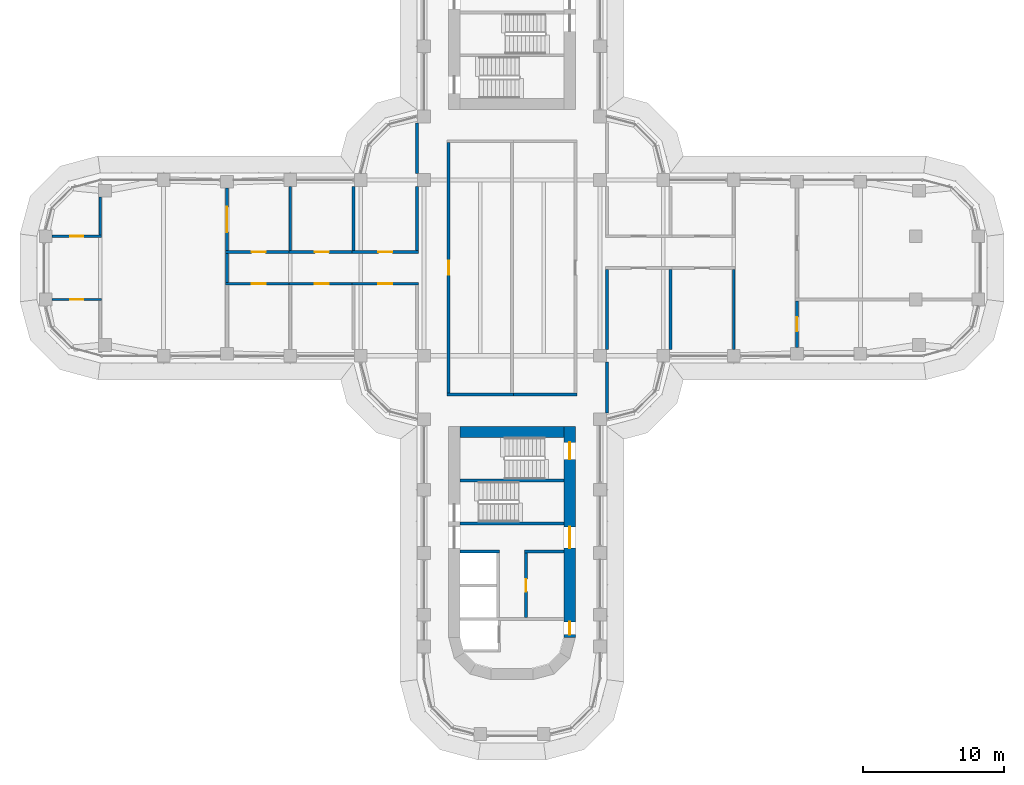
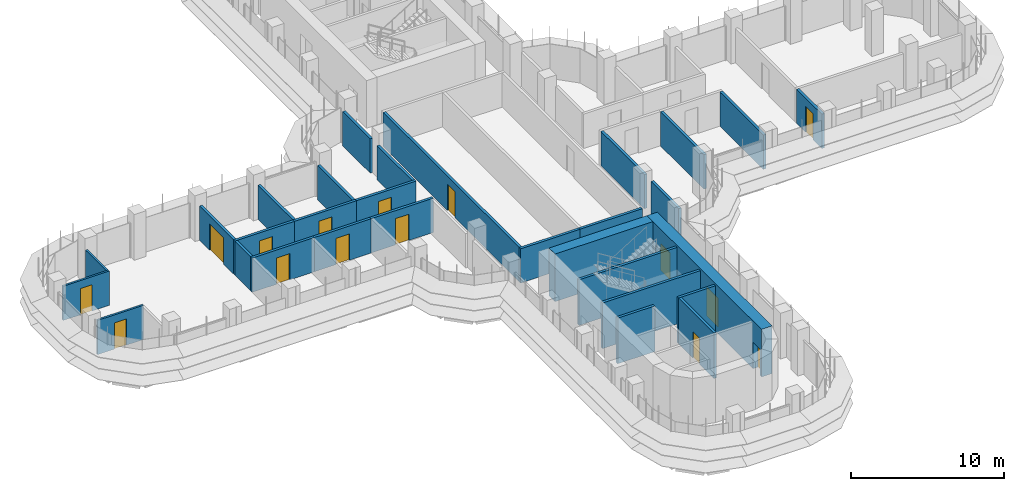
# One storey, part 17 of 23: 30 walls, 15 doors, 15 openings.
"""IFC4 building model written with IfcOpenShell, lengths in metres."""

from ifc_helpers import new_model, si_unit, direction, frame, frame_2d, origin, place, context, subcontext, project, spatial, rectangle, extrude, material, layer, layer_set, type_object, element, fill, save


model = new_model("IFC4")

# Units and contexts
model_context = context("Model", 3, precision=1e-05, world=origin(), true_north=direction((0.0, 1.0)))
body_context = subcontext(model_context, "Body", "Model", "MODEL_VIEW")
ifc_project = project(units=[si_unit("LENGTHUNIT", "METRE"), si_unit("AREAUNIT", "SQUARE_METRE"), si_unit("VOLUMEUNIT", "CUBIC_METRE"), si_unit("PLANEANGLEUNIT", "RADIAN"), si_unit("MASSUNIT", "GRAM", prefix="KILO")], contexts=[model_context])

# Site, building, storey
site_placement = place(None, origin())
site = spatial("IfcSite", under=ifc_project, at=site_placement, CompositionType="ELEMENT")
building_placement = place(site_placement, origin())
building = spatial("IfcBuilding", under=site, at=building_placement, Name="Zarbagh Exchange Tower", CompositionType="ELEMENT")
storey_placement = place(building_placement, frame((0.0, 0.0, 90.39990234375)))
storey = spatial("IfcBuildingStorey", under=building, at=storey_placement, Name="L20", CompositionType="ELEMENT", Elevation=90.39990234375)

# Wall, opening, door
ifc_material_1 = material(Name="Plasterboard partition")
ifc_layer_1 = layer(ifc_material_1, 0.14990234375)
ifc_layer_set_1 = layer_set([ifc_layer_1], Name="PARTITION 150")
wall_type_1 = type_object("IfcWallType", Name="PARTITION 150", PredefinedType="PARTITIONING", material=ifc_layer_set_1)
wall_1_placement = place(storey_placement, frame((-32.659912109375, 2.25, 0.0), z_axis=(0.0, 0.0, 1.0), x_axis=(1.0, 0.0, 0.0)))
wall_1 = element("IfcWall", 1, at=wall_1_placement, inside=storey, type_object=wall_type_1, Name="Partition W-641", PredefinedType="PARTITIONING", context=body_context, shape_type="SweptSolid", body=[
    extrude(rectangle(XDim=3.48486328125, YDim=0.14990234375, at=frame_2d((1.742431640625, 0.0))), origin(), (0.0, 0.0, 1.0), 2.73828125),
])
opening_1_placement = place(wall_1_placement, frame((1.29248046875, 0.0, 0.0)))
opening_1 = element("IfcOpeningElement", 2, at=opening_1_placement, cuts=wall_1, Name="Opening D-609", PredefinedType="OPENING", context=body_context, shape_type="SweptSolid", body=[
    extrude(rectangle(XDim=0.89990234375, YDim=2.10009765625, at=frame_2d((0.449951171875, 1.050048828125))), frame((0.0, 0.0849609375, 0.0), z_axis=(0.0, -1.0, 0.0), x_axis=(1.0, 0.0, 0.0)), (0.0, 0.0, 1.0), 0.169921875),
])
ifc_material_2 = material(Name="Timber door leaf", Category="wood")
door_type_1 = type_object("IfcDoorType", Name="DOOR 900 X 2100", OperationType="NOTDEFINED", PredefinedType="DOOR", material=ifc_material_2)
door_1_placement = place(opening_1_placement, origin())
door_1 = element("IfcDoor", 3, at=door_1_placement, inside=storey, type_object=door_type_1, Name="Door D-609", OperationType="SINGLE_SWING_RIGHT", OverallHeight=2.10009765625, OverallWidth=0.89990234375, PredefinedType="DOOR", context=body_context, shape_type="SweptSolid", body=[
    extrude(rectangle(XDim=0.89990234375, YDim=2.10009765625, at=frame_2d((0.449951171875, 1.050048828125))), frame((0.0, 0.02490234375, 0.0), z_axis=(0.0, -1.0, 0.0), x_axis=(1.0, 0.0, 0.0)), (0.0, 0.0, 1.0), 0.050048828125),
])
fill(opening_1, door_1)

# Wall
wall_2_placement = place(storey_placement, frame((-29.25, 2.324951171875, 0.0), z_axis=(0.0, 0.0, 1.0), x_axis=(0.0, 1.0, 0.0)))
element("IfcWall", 4, at=wall_2_placement, inside=storey, type_object=wall_type_1, Name="Partition W-642", PredefinedType="PARTITIONING", context=body_context, shape_type="SweptSolid", body=[
    extrude(rectangle(XDim=2.699951171875, YDim=0.14990234375, at=frame_2d((1.35009765625, 0.0))), origin(), (0.0, 0.0, 1.0), 2.73828125),
])

# Wall, opening, door
wall_3_placement = place(storey_placement, frame((-29.175048828125, -2.25, 0.0), z_axis=(0.0, 0.0, 1.0), x_axis=(-1.0, 0.0, 0.0)))
wall_3 = element("IfcWall", 5, at=wall_3_placement, inside=storey, type_object=wall_type_1, Name="Partition W-644", PredefinedType="PARTITIONING", context=body_context, shape_type="SweptSolid", body=[
    extrude(rectangle(XDim=3.48486328125, YDim=0.14990234375, at=frame_2d((1.742431640625, 0.0))), origin(), (0.0, 0.0, 1.0), 2.73828125),
])
opening_2_placement = place(wall_3_placement, frame((1.29248046875, 0.0, 0.0)))
opening_2 = element("IfcOpeningElement", 6, at=opening_2_placement, cuts=wall_3, Name="Opening D-610", PredefinedType="OPENING", context=body_context, shape_type="SweptSolid", body=[
    extrude(rectangle(XDim=0.89990234375, YDim=2.10009765625, at=frame_2d((0.449951171875, 1.050048828125))), frame((0.0, 0.0849609375, 0.0), z_axis=(0.0, -1.0, 0.0), x_axis=(1.0, 0.0, 0.0)), (0.0, 0.0, 1.0), 0.169921875),
])
door_2_placement = place(opening_2_placement, origin())
door_2 = element("IfcDoor", 7, at=door_2_placement, inside=storey, type_object=door_type_1, Name="Door D-610", OperationType="SINGLE_SWING_LEFT", OverallHeight=2.10009765625, OverallWidth=0.89990234375, PredefinedType="DOOR", context=body_context, shape_type="SweptSolid", body=[
    extrude(rectangle(XDim=0.89990234375, YDim=2.10009765625, at=frame_2d((0.449951171875, 1.050048828125))), frame((0.0, 0.02490234375, 0.0), z_axis=(0.0, -1.0, 0.0), x_axis=(1.0, 0.0, 0.0)), (0.0, 0.0, 1.0), 0.050048828125),
])
fill(opening_2, door_2)

ifc_material_3 = material(Name="Fire-rated plasterboard partition")
ifc_layer_2 = layer(ifc_material_3, 0.199951171875)
ifc_layer_set_2 = layer_set([ifc_layer_2], Name="RATED PARTITION 200")
wall_type_2 = type_object("IfcWallType", Name="RATED PARTITION 200", PredefinedType="PARTITIONING", material=ifc_layer_set_2)
wall_4_placement = place(storey_placement, frame((-4.5, 8.89990234375, 0.0), z_axis=(0.0, 0.0, 1.0), x_axis=(0.0, -1.0, 0.0)))
wall_4 = element("IfcWall", 8, at=wall_4_placement, inside=storey, type_object=wall_type_2, Name="Partition W-601", PredefinedType="PARTITIONING", context=body_context, shape_type="SweptSolid", body=[
    extrude(rectangle(XDim=17.7998046875, YDim=0.199951171875, at=frame_2d((8.89990234375, 0.0))), origin(), (0.0, 0.0, 1.0), 2.73828125),
])
opening_3_placement = place(wall_4_placement, frame((8.39990234375, 0.0, 0.0)))
opening_3 = element("IfcOpeningElement", 9, at=opening_3_placement, cuts=wall_4, Name="Opening D-602", PredefinedType="OPENING", context=body_context, shape_type="SweptSolid", body=[
    extrude(rectangle(XDim=1.0, YDim=2.10009765625, at=frame_2d((0.5, 1.050048828125))), frame((0.0, 0.10986328125, 0.0), z_axis=(0.0, -1.0, 0.0), x_axis=(1.0, 0.0, 0.0)), (0.0, 0.0, 1.0), 0.219970703125),
])
ifc_material_4 = material(Name="Steel door set", Category="steel")
door_type_2 = type_object("IfcDoorType", Name="FIRE DOOR 1000 X 2100 FD30S", OperationType="NOTDEFINED", PredefinedType="DOOR", material=ifc_material_4)
door_3_placement = place(opening_3_placement, origin())
door_3 = element("IfcDoor", 10, at=door_3_placement, inside=storey, type_object=door_type_2, Name="Door D-602", OperationType="SINGLE_SWING_RIGHT", OverallHeight=2.10009765625, OverallWidth=1.0, PredefinedType="DOOR", context=body_context, shape_type="SweptSolid", body=[
    extrude(rectangle(XDim=1.0, YDim=2.10009765625, at=frame_2d((0.5, 1.050048828125))), frame((0.0, 0.02490234375, 0.0), z_axis=(0.0, -1.0, 0.0), x_axis=(1.0, 0.0, 0.0)), (0.0, 0.0, 1.0), 0.050048828125),
])
fill(opening_3, door_3)

# Walls
wall_5_placement = place(storey_placement, frame((-6.75, 1.22509765625, 0.0), z_axis=(0.0, 0.0, 1.0), x_axis=(0.0, 1.0, 0.0)))
element("IfcWall", 11, at=wall_5_placement, inside=storey, type_object=wall_type_2, Name="Partition W-602", PredefinedType="PARTITIONING", context=body_context, shape_type="SweptSolid", body=[
    extrude(rectangle(XDim=4.574951171875, YDim=0.199951171875, at=frame_2d((2.28759765625, 0.0))), origin(), (0.0, 0.0, 1.0), 2.73828125),
])
for number, where, z_axis, x_axis, name in (
    (12, (-6.75, 6.699951171875, 0.0), (0.0, 0.0, 1.0), (0.0, 1.0, 0.0), "Partition W-603"),
    (13, (6.75, -10.300048828125, 0.0), (0.0, 0.0, 1.0), (0.0, 1.0, 0.0), "Partition W-609"),
):
    element("IfcWall", number, at=place(storey_placement, frame(where, z_axis=z_axis, x_axis=x_axis)), inside=storey, type_object=wall_type_2, Name=name, PredefinedType="PARTITIONING", context=body_context, shape_type="SweptSolid", body=[
        extrude(rectangle(XDim=3.60009765625, YDim=0.199951171875, at=frame_2d((1.800048828125, 0.0))), origin(), (0.0, 0.0, 1.0), 2.73828125),
    ])
wall_6_placement = place(storey_placement, frame((6.75, -5.800048828125, 0.0), z_axis=(0.0, 0.0, 1.0), x_axis=(0.0, 1.0, 0.0)))
element("IfcWall", 14, at=wall_6_placement, inside=storey, type_object=wall_type_2, Name="Partition W-610", PredefinedType="PARTITIONING", context=body_context, shape_type="SweptSolid", body=[
    extrude(rectangle(XDim=5.699951171875, YDim=0.199951171875, at=frame_2d((2.85009765625, 0.0))), origin(), (0.0, 0.0, 1.0), 2.73828125),
])
for number, where, z_axis, x_axis, name in (
    (15, (-4.60009765625, -9.0, 0.0), (0.0, 0.0, 1.0), (1.0, 0.0, 0.0), "Partition W-613"),
    (16, (-0.10009765625, -9.0, 0.0), (0.0, 0.0, 1.0), (1.0, 0.0, 0.0), "Partition W-614"),
):
    element("IfcWall", number, at=place(storey_placement, frame(where, z_axis=z_axis, x_axis=x_axis)), inside=storey, type_object=wall_type_2, Name=name, PredefinedType="PARTITIONING", context=body_context, shape_type="SweptSolid", body=[
        extrude(rectangle(XDim=4.7001953125, YDim=0.199951171875, at=frame_2d((2.35009765625, 0.0))), origin(), (0.0, 0.0, 1.0), 2.73828125),
    ])
for number, where, z_axis, x_axis, name in (
    (17, (11.25, -5.800048828125, 0.0), (0.0, 0.0, 1.0), (0.0, 1.0, 0.0), "Partition W-621"),
    (18, (15.75, -5.800048828125, 0.0), (0.0, 0.0, 1.0), (0.0, 1.0, 0.0), "Partition W-623"),
):
    element("IfcWall", number, at=place(storey_placement, frame(where, z_axis=z_axis, x_axis=x_axis)), inside=storey, type_object=wall_type_2, Name=name, PredefinedType="PARTITIONING", context=body_context, shape_type="SweptSolid", body=[
        extrude(rectangle(XDim=5.699951171875, YDim=0.199951171875, at=frame_2d((2.85009765625, 0.0))), origin(), (0.0, 0.0, 1.0), 2.73828125),
    ])

# Wall, opening, door
wall_7_placement = place(storey_placement, frame((20.25, -2.35009765625, 0.0), z_axis=(0.0, 0.0, 1.0), x_axis=(0.0, -1.0, 0.0)))
wall_7 = element("IfcWall", 19, at=wall_7_placement, inside=storey, type_object=wall_type_2, Name="Partition W-624", PredefinedType="PARTITIONING", context=body_context, shape_type="SweptSolid", body=[
    extrude(rectangle(XDim=3.309814453125, YDim=0.199951171875, at=frame_2d((1.65478515625, 0.0))), origin(), (0.0, 0.0, 1.0), 2.73828125),
])
opening_4_placement = place(wall_7_placement, frame((1.155029296875, 0.0, 0.0)))
opening_4 = element("IfcOpeningElement", 20, at=opening_4_placement, cuts=wall_7, Name="Opening D-607", PredefinedType="OPENING", context=body_context, shape_type="SweptSolid", body=[
    extrude(rectangle(XDim=1.0, YDim=2.10009765625, at=frame_2d((0.5, 1.050048828125))), frame((0.0, 0.10986328125, 0.0), z_axis=(0.0, -1.0, 0.0), x_axis=(1.0, 0.0, 0.0)), (0.0, 0.0, 1.0), 0.219970703125),
])
door_4_placement = place(opening_4_placement, origin())
door_4 = element("IfcDoor", 21, at=door_4_placement, inside=storey, type_object=door_type_2, Name="Door D-607", OperationType="SINGLE_SWING_LEFT", OverallHeight=2.10009765625, OverallWidth=1.0, PredefinedType="DOOR", context=body_context, shape_type="SweptSolid", body=[
    extrude(rectangle(XDim=1.0, YDim=2.10009765625, at=frame_2d((0.5, 1.050048828125))), frame((0.0, 0.02490234375, 0.0), z_axis=(0.0, -1.0, 0.0), x_axis=(1.0, 0.0, 0.0)), (0.0, 0.0, 1.0), 0.050048828125),
])
fill(opening_4, door_4)

wall_8_placement = place(storey_placement, frame((-11.35009765625, 1.125, 0.0), z_axis=(0.0, 0.0, 1.0), x_axis=(1.0, 0.0, 0.0)))
wall_8 = element("IfcWall", 22, at=wall_8_placement, inside=storey, type_object=wall_type_2, Name="Partition W-628", PredefinedType="PARTITIONING", context=body_context, shape_type="SweptSolid", body=[
    extrude(rectangle(XDim=4.7001953125, YDim=0.199951171875, at=frame_2d((2.35009765625, 0.0))), origin(), (0.0, 0.0, 1.0), 2.73828125),
])
opening_5_placement = place(wall_8_placement, frame((1.85009765625, 0.0, 0.0)))
opening_5 = element("IfcOpeningElement", 23, at=opening_5_placement, cuts=wall_8, Name="Opening D-612", PredefinedType="OPENING", context=body_context, shape_type="SweptSolid", body=[
    extrude(rectangle(XDim=1.0, YDim=2.10009765625, at=frame_2d((0.5, 1.050048828125))), frame((0.0, 0.10986328125, 0.0), z_axis=(0.0, -1.0, 0.0), x_axis=(1.0, 0.0, 0.0)), (0.0, 0.0, 1.0), 0.219970703125),
])
door_5_placement = place(opening_5_placement, origin())
door_5 = element("IfcDoor", 24, at=door_5_placement, inside=storey, type_object=door_type_2, Name="Door D-612", OperationType="SINGLE_SWING_RIGHT", OverallHeight=2.10009765625, OverallWidth=1.0, PredefinedType="DOOR", context=body_context, shape_type="SweptSolid", body=[
    extrude(rectangle(XDim=1.0, YDim=2.10009765625, at=frame_2d((0.5, 1.050048828125))), frame((0.0, 0.02490234375, 0.0), z_axis=(0.0, -1.0, 0.0), x_axis=(1.0, 0.0, 0.0)), (0.0, 0.0, 1.0), 0.050048828125),
])
fill(opening_5, door_5)

wall_9_placement = place(storey_placement, frame((-6.64990234375, -1.125, 0.0), z_axis=(0.0, 0.0, 1.0), x_axis=(-1.0, 0.0, 0.0)))
wall_9 = element("IfcWall", 25, at=wall_9_placement, inside=storey, type_object=wall_type_2, Name="Partition W-629", PredefinedType="PARTITIONING", context=body_context, shape_type="SweptSolid", body=[
    extrude(rectangle(XDim=4.7001953125, YDim=0.199951171875, at=frame_2d((2.35009765625, 0.0))), origin(), (0.0, 0.0, 1.0), 2.73828125),
])
opening_6_placement = place(wall_9_placement, frame((1.85009765625, 0.0, 0.0)))
opening_6 = element("IfcOpeningElement", 26, at=opening_6_placement, cuts=wall_9, Name="Opening D-615", PredefinedType="OPENING", context=body_context, shape_type="SweptSolid", body=[
    extrude(rectangle(XDim=1.0, YDim=2.10009765625, at=frame_2d((0.5, 1.050048828125))), frame((0.0, 0.10986328125, 0.0), z_axis=(0.0, -1.0, 0.0), x_axis=(1.0, 0.0, 0.0)), (0.0, 0.0, 1.0), 0.219970703125),
])
door_6_placement = place(opening_6_placement, origin())
door_6 = element("IfcDoor", 27, at=door_6_placement, inside=storey, type_object=door_type_2, Name="Door D-615", OperationType="SINGLE_SWING_RIGHT", OverallHeight=2.10009765625, OverallWidth=1.0, PredefinedType="DOOR", context=body_context, shape_type="SweptSolid", body=[
    extrude(rectangle(XDim=1.0, YDim=2.10009765625, at=frame_2d((0.5, 1.050048828125))), frame((0.0, 0.02490234375, 0.0), z_axis=(0.0, -1.0, 0.0), x_axis=(1.0, 0.0, 0.0)), (0.0, 0.0, 1.0), 0.050048828125),
])
fill(opening_6, door_6)

wall_10_placement = place(storey_placement, frame((-15.85009765625, 1.125, 0.0), z_axis=(0.0, 0.0, 1.0), x_axis=(1.0, 0.0, 0.0)))
wall_10 = element("IfcWall", 28, at=wall_10_placement, inside=storey, type_object=wall_type_2, Name="Partition W-630", PredefinedType="PARTITIONING", context=body_context, shape_type="SweptSolid", body=[
    extrude(rectangle(XDim=4.7001953125, YDim=0.199951171875, at=frame_2d((2.35009765625, 0.0))), origin(), (0.0, 0.0, 1.0), 2.73828125),
])
opening_7_placement = place(wall_10_placement, frame((1.85009765625, 0.0, 0.0)))
opening_7 = element("IfcOpeningElement", 29, at=opening_7_placement, cuts=wall_10, Name="Opening D-613", PredefinedType="OPENING", context=body_context, shape_type="SweptSolid", body=[
    extrude(rectangle(XDim=1.0, YDim=2.10009765625, at=frame_2d((0.5, 1.050048828125))), frame((0.0, 0.10986328125, 0.0), z_axis=(0.0, -1.0, 0.0), x_axis=(1.0, 0.0, 0.0)), (0.0, 0.0, 1.0), 0.219970703125),
])
door_7_placement = place(opening_7_placement, origin())
door_7 = element("IfcDoor", 30, at=door_7_placement, inside=storey, type_object=door_type_2, Name="Door D-613", OperationType="SINGLE_SWING_RIGHT", OverallHeight=2.10009765625, OverallWidth=1.0, PredefinedType="DOOR", context=body_context, shape_type="SweptSolid", body=[
    extrude(rectangle(XDim=1.0, YDim=2.10009765625, at=frame_2d((0.5, 1.050048828125))), frame((0.0, 0.02490234375, 0.0), z_axis=(0.0, -1.0, 0.0), x_axis=(1.0, 0.0, 0.0)), (0.0, 0.0, 1.0), 0.050048828125),
])
fill(opening_7, door_7)

wall_11_placement = place(storey_placement, frame((-20.35009765625, 1.125, 0.0), z_axis=(0.0, 0.0, 1.0), x_axis=(1.0, 0.0, 0.0)))
wall_11 = element("IfcWall", 31, at=wall_11_placement, inside=storey, type_object=wall_type_2, Name="Partition W-631", PredefinedType="PARTITIONING", context=body_context, shape_type="SweptSolid", body=[
    extrude(rectangle(XDim=4.7001953125, YDim=0.199951171875, at=frame_2d((2.35009765625, 0.0))), origin(), (0.0, 0.0, 1.0), 2.73828125),
])
opening_8_placement = place(wall_11_placement, frame((1.85009765625, 0.0, 0.0)))
opening_8 = element("IfcOpeningElement", 32, at=opening_8_placement, cuts=wall_11, Name="Opening D-614", PredefinedType="OPENING", context=body_context, shape_type="SweptSolid", body=[
    extrude(rectangle(XDim=1.0, YDim=2.10009765625, at=frame_2d((0.5, 1.050048828125))), frame((0.0, 0.10986328125, 0.0), z_axis=(0.0, -1.0, 0.0), x_axis=(1.0, 0.0, 0.0)), (0.0, 0.0, 1.0), 0.219970703125),
])
door_8_placement = place(opening_8_placement, origin())
door_8 = element("IfcDoor", 33, at=door_8_placement, inside=storey, type_object=door_type_2, Name="Door D-614", OperationType="SINGLE_SWING_RIGHT", OverallHeight=2.10009765625, OverallWidth=1.0, PredefinedType="DOOR", context=body_context, shape_type="SweptSolid", body=[
    extrude(rectangle(XDim=1.0, YDim=2.10009765625, at=frame_2d((0.5, 1.050048828125))), frame((0.0, 0.02490234375, 0.0), z_axis=(0.0, -1.0, 0.0), x_axis=(1.0, 0.0, 0.0)), (0.0, 0.0, 1.0), 0.050048828125),
])
fill(opening_8, door_8)

wall_12_placement = place(storey_placement, frame((-11.14990234375, -1.125, 0.0), z_axis=(0.0, 0.0, 1.0), x_axis=(-1.0, 0.0, 0.0)))
wall_12 = element("IfcWall", 34, at=wall_12_placement, inside=storey, type_object=wall_type_2, Name="Partition W-632", PredefinedType="PARTITIONING", context=body_context, shape_type="SweptSolid", body=[
    extrude(rectangle(XDim=4.7001953125, YDim=0.199951171875, at=frame_2d((2.35009765625, 0.0))), origin(), (0.0, 0.0, 1.0), 2.73828125),
])
opening_9_placement = place(wall_12_placement, frame((1.85009765625, 0.0, 0.0)))
opening_9 = element("IfcOpeningElement", 35, at=opening_9_placement, cuts=wall_12, Name="Opening D-616", PredefinedType="OPENING", context=body_context, shape_type="SweptSolid", body=[
    extrude(rectangle(XDim=1.0, YDim=2.10009765625, at=frame_2d((0.5, 1.050048828125))), frame((0.0, 0.10986328125, 0.0), z_axis=(0.0, -1.0, 0.0), x_axis=(1.0, 0.0, 0.0)), (0.0, 0.0, 1.0), 0.219970703125),
])
door_9_placement = place(opening_9_placement, origin())
door_9 = element("IfcDoor", 36, at=door_9_placement, inside=storey, type_object=door_type_2, Name="Door D-616", OperationType="SINGLE_SWING_RIGHT", OverallHeight=2.10009765625, OverallWidth=1.0, PredefinedType="DOOR", context=body_context, shape_type="SweptSolid", body=[
    extrude(rectangle(XDim=1.0, YDim=2.10009765625, at=frame_2d((0.5, 1.050048828125))), frame((0.0, 0.02490234375, 0.0), z_axis=(0.0, -1.0, 0.0), x_axis=(1.0, 0.0, 0.0)), (0.0, 0.0, 1.0), 0.050048828125),
])
fill(opening_9, door_9)

wall_13_placement = place(storey_placement, frame((-15.64990234375, -1.125, 0.0), z_axis=(0.0, 0.0, 1.0), x_axis=(-1.0, 0.0, 0.0)))
wall_13 = element("IfcWall", 37, at=wall_13_placement, inside=storey, type_object=wall_type_2, Name="Partition W-633", PredefinedType="PARTITIONING", context=body_context, shape_type="SweptSolid", body=[
    extrude(rectangle(XDim=4.7001953125, YDim=0.199951171875, at=frame_2d((2.35009765625, 0.0))), origin(), (0.0, 0.0, 1.0), 2.73828125),
])
opening_10_placement = place(wall_13_placement, frame((1.85009765625, 0.0, 0.0)))
opening_10 = element("IfcOpeningElement", 38, at=opening_10_placement, cuts=wall_13, Name="Opening D-617", PredefinedType="OPENING", context=body_context, shape_type="SweptSolid", body=[
    extrude(rectangle(XDim=1.0, YDim=2.10009765625, at=frame_2d((0.5, 1.050048828125))), frame((0.0, 0.10986328125, 0.0), z_axis=(0.0, -1.0, 0.0), x_axis=(1.0, 0.0, 0.0)), (0.0, 0.0, 1.0), 0.219970703125),
])
door_10_placement = place(opening_10_placement, origin())
door_10 = element("IfcDoor", 39, at=door_10_placement, inside=storey, type_object=door_type_2, Name="Door D-617", OperationType="SINGLE_SWING_LEFT", OverallHeight=2.10009765625, OverallWidth=1.0, PredefinedType="DOOR", context=body_context, shape_type="SweptSolid", body=[
    extrude(rectangle(XDim=1.0, YDim=2.10009765625, at=frame_2d((0.5, 1.050048828125))), frame((0.0, 0.02490234375, 0.0), z_axis=(0.0, -1.0, 0.0), x_axis=(1.0, 0.0, 0.0)), (0.0, 0.0, 1.0), 0.050048828125),
])
fill(opening_10, door_10)

# Walls
wall_14_placement = place(storey_placement, frame((-20.25, -1.02490234375, 0.0), z_axis=(0.0, 0.0, 1.0), x_axis=(0.0, 1.0, 0.0)))
element("IfcWall", 40, at=wall_14_placement, inside=storey, type_object=wall_type_2, Name="Partition W-634", PredefinedType="PARTITIONING", context=body_context, shape_type="SweptSolid", body=[
    extrude(rectangle(XDim=2.0498046875, YDim=0.199951171875, at=frame_2d((1.02490234375, 0.0))), origin(), (0.0, 0.0, 1.0), 2.73828125),
])
for number, where, z_axis, x_axis, name in (
    (41, (-11.25, 1.22509765625, 0.0), (0.0, 0.0, 1.0), (0.0, 1.0, 0.0), "Partition W-635"),
    (42, (-15.75, 1.22509765625, 0.0), (0.0, 0.0, 1.0), (0.0, 1.0, 0.0), "Partition W-637"),
):
    element("IfcWall", number, at=place(storey_placement, frame(where, z_axis=z_axis, x_axis=x_axis)), inside=storey, type_object=wall_type_2, Name=name, PredefinedType="PARTITIONING", context=body_context, shape_type="SweptSolid", body=[
        extrude(rectangle(XDim=4.574951171875, YDim=0.199951171875, at=frame_2d((2.28759765625, 0.0))), origin(), (0.0, 0.0, 1.0), 2.73828125),
    ])

# Wall, opening, door
wall_15_placement = place(storey_placement, frame((-20.25, 1.22509765625, 0.0), z_axis=(0.0, 0.0, 1.0), x_axis=(0.0, 1.0, 0.0)))
wall_15 = element("IfcWall", 43, at=wall_15_placement, inside=storey, type_object=wall_type_2, Name="Partition W-638", PredefinedType="PARTITIONING", context=body_context, shape_type="SweptSolid", body=[
    extrude(rectangle(XDim=4.434814453125, YDim=0.199951171875, at=frame_2d((2.21728515625, 0.0))), origin(), (0.0, 0.0, 1.0), 2.73828125),
])
opening_11_placement = place(wall_15_placement, frame((1.3173828125, 0.0, 0.0)))
opening_11 = element("IfcOpeningElement", 44, at=opening_11_placement, cuts=wall_15, Name="Opening D-611", PredefinedType="OPENING", context=body_context, shape_type="SweptSolid", body=[
    extrude(rectangle(XDim=1.800048828125, YDim=2.10009765625, at=frame_2d((0.89990234375, 1.050048828125))), frame((0.0, 0.10986328125, 0.0), z_axis=(0.0, -1.0, 0.0), x_axis=(1.0, 0.0, 0.0)), (0.0, 0.0, 1.0), 0.219970703125),
])
door_type_3 = type_object("IfcDoorType", Name="FIRE DOUBLE DOOR 1800 X 2100 FD30S", OperationType="DOUBLE_DOOR_SINGLE_SWING", PredefinedType="DOOR", material=ifc_material_4)
door_11_placement = place(opening_11_placement, origin())
door_11 = element("IfcDoor", 45, at=door_11_placement, inside=storey, type_object=door_type_3, Name="Door D-611", OperationType="DOUBLE_DOOR_SINGLE_SWING", OverallHeight=2.10009765625, OverallWidth=1.800048828125, PredefinedType="DOOR", context=body_context, shape_type="SweptSolid", body=[
    extrude(rectangle(XDim=1.800048828125, YDim=2.10009765625, at=frame_2d((0.89990234375, 1.050048828125))), frame((0.0, 0.02490234375, 0.0), z_axis=(0.0, -1.0, 0.0), x_axis=(1.0, 0.0, 0.0)), (0.0, 0.0, 1.0), 0.050048828125),
])
fill(opening_11, door_11)

# Wall, openings, doors
ifc_material_5 = material(Name="Concrete C60/75", Category="concrete")
ifc_layer_3 = layer(ifc_material_5, 0.800048828125)
ifc_layer_set_3 = layer_set([ifc_layer_3], Name="RC core wall 800 C60/75")
wall_type_3 = type_object("IfcWallType", Name="RC core wall 800 C60/75", PredefinedType="SHEAR", material=ifc_layer_set_3)
wall_16_placement = place(storey_placement, frame((4.10009765625, -11.25, 0.0), z_axis=(0.0, 0.0, 1.0), x_axis=(0.0, -1.0, 0.0)))
wall_16 = element("IfcWall", 46, at=wall_16_placement, inside=storey, type_object=wall_type_3, Name="CW3 core S E", PredefinedType="SHEAR", context=body_context, shape_type="SweptSolid", body=[
    extrude(rectangle(XDim=15.0, YDim=0.800048828125, at=frame_2d((7.5, 0.0))), origin(), (0.0, 0.0, 1.0), 3.800048828125),
])
opening_12_placement = place(wall_16_placement, frame((7.14990234375, 0.0, 0.0)))
opening_12 = element("IfcOpeningElement", 47, at=opening_12_placement, cuts=wall_16, Name="Opening CD1-1500", PredefinedType="OPENING", context=body_context, shape_type="SweptSolid", body=[
    extrude(rectangle(XDim=1.5, YDim=2.300048828125, at=frame_2d((0.75, 1.14990234375))), frame((0.0, 0.409912109375, 0.0), z_axis=(0.0, -1.0, 0.0), x_axis=(1.0, 0.0, 0.0)), (0.0, 0.0, 1.0), 0.820068359375),
])
opening_13_placement = place(wall_16_placement, frame((13.89990234375, 0.0, 0.0)))
opening_13 = element("IfcOpeningElement", 48, at=opening_13_placement, cuts=wall_16, Name="Opening CD2-900", PredefinedType="OPENING", context=body_context, shape_type="SweptSolid", body=[
    extrude(rectangle(XDim=0.89990234375, YDim=2.10009765625, at=frame_2d((0.449951171875, 1.050048828125))), frame((0.0, 0.409912109375, 0.0), z_axis=(0.0, -1.0, 0.0), x_axis=(1.0, 0.0, 0.0)), (0.0, 0.0, 1.0), 0.820068359375),
])
opening_14_placement = place(wall_16_placement, frame((1.14990234375, 0.0, 0.0)))
opening_14 = element("IfcOpeningElement", 49, at=opening_14_placement, cuts=wall_16, Name="Opening SD1-1200", PredefinedType="OPENING", context=body_context, shape_type="SweptSolid", body=[
    extrude(rectangle(XDim=1.199951171875, YDim=2.10009765625, at=frame_2d((0.60009765625, 1.050048828125))), frame((0.0, 0.409912109375, 0.0), z_axis=(0.0, -1.0, 0.0), x_axis=(1.0, 0.0, 0.0)), (0.0, 0.0, 1.0), 0.820068359375),
])
ifc_material_6 = material(Name="Steel", Category="steel")
door_type_4 = type_object("IfcDoorType", Name="Exit stair door 1200 x 2100", OperationType="NOTDEFINED", PredefinedType="DOOR", material=ifc_material_6)
door_12_placement = place(opening_14_placement, origin())
door_12 = element("IfcDoor", 50, at=door_12_placement, inside=storey, type_object=door_type_4, Name="South core stair door ST2", OperationType="SINGLE_SWING_RIGHT", OverallHeight=2.10009765625, OverallWidth=1.199951171875, PredefinedType="DOOR", context=body_context, shape_type="SweptSolid", body=[
    extrude(rectangle(XDim=1.199951171875, YDim=2.10009765625, at=frame_2d((0.60009765625, 1.050048828125))), frame((0.0, 0.02490234375, 0.0), z_axis=(0.0, -1.0, 0.0), x_axis=(1.0, 0.0, 0.0)), (0.0, 0.0, 1.0), 0.050048828125),
])
fill(opening_14, door_12)
door_type_5 = type_object("IfcDoorType", Name="Firefighting lobby door 900 x 2100", OperationType="NOTDEFINED", PredefinedType="DOOR", material=ifc_material_6)
door_13_placement = place(opening_13_placement, origin())
door_13 = element("IfcDoor", 51, at=door_13_placement, inside=storey, type_object=door_type_5, Name="South core firefighting lobby door FF-W", OperationType="SINGLE_SWING_LEFT", OverallHeight=2.10009765625, OverallWidth=0.89990234375, PredefinedType="DOOR", context=body_context, shape_type="SweptSolid", body=[
    extrude(rectangle(XDim=0.89990234375, YDim=2.10009765625, at=frame_2d((0.449951171875, 1.050048828125))), frame((0.0, 0.02490234375, 0.0), z_axis=(0.0, -1.0, 0.0), x_axis=(1.0, 0.0, 0.0)), (0.0, 0.0, 1.0), 0.050048828125),
])
fill(opening_13, door_13)
door_type_6 = type_object("IfcDoorType", Name="Lift lobby double door 1500 x 2300", OperationType="NOTDEFINED", PredefinedType="DOOR", material=ifc_material_6)
door_14_placement = place(opening_12_placement, origin())
door_14 = element("IfcDoor", 52, at=door_14_placement, inside=storey, type_object=door_type_6, Name="South core lift lobby door LOBBY-W", OperationType="DOUBLE_DOOR_SINGLE_SWING", OverallHeight=2.300048828125, OverallWidth=1.5, PredefinedType="DOOR", context=body_context, shape_type="SweptSolid", body=[
    extrude(rectangle(XDim=1.5, YDim=2.300048828125, at=frame_2d((0.75, 1.14990234375))), frame((0.0, 0.02490234375, 0.0), z_axis=(0.0, -1.0, 0.0), x_axis=(1.0, 0.0, 0.0)), (0.0, 0.0, 1.0), 0.050048828125),
])
fill(opening_12, door_14)

# Walls
wall_17_placement = place(storey_placement, frame((-3.699951171875, -11.64990234375, 0.0), z_axis=(0.0, 0.0, 1.0), x_axis=(1.0, 0.0, 0.0)))
element("IfcWall", 53, at=wall_17_placement, inside=storey, type_object=wall_type_3, Name="CW3 core S inner end", PredefinedType="SHEAR", context=body_context, shape_type="SweptSolid", body=[
    extrude(rectangle(XDim=7.39990234375, YDim=0.800048828125, at=frame_2d((3.699951171875, 0.0))), origin(), (0.0, 0.0, 1.0), 3.800048828125),
])
ifc_material_7 = material(Name="Dense blockwork", Category="masonry")
ifc_layer_4 = layer(ifc_material_7, 0.199951171875)
ifc_layer_set_4 = layer_set([ifc_layer_4], Name="Shaft wall 200 mm blockwork")
wall_type_4 = type_object("IfcWallType", Name="Shaft wall 200 mm blockwork", PredefinedType="PARTITIONING", material=ifc_layer_set_4)
wall_18_placement = place(storey_placement, frame((3.699951171875, -20.14990234375, 0.0), z_axis=(0.0, 0.0, 1.0), x_axis=(-1.0, 0.0, 0.0)))
element("IfcWall", 54, at=wall_18_placement, inside=storey, type_object=wall_type_4, Name="South core shaft wall AB-W", PredefinedType="PARTITIONING", context=body_context, shape_type="SweptSolid", body=[
    extrude(rectangle(XDim=2.800048828125, YDim=0.199951171875, at=frame_2d((1.39990234375, 0.0))), origin(), (0.0, 0.0, 1.0), 3.650146484375),
])

# Wall, opening, door
wall_19_placement = place(storey_placement, frame((1.0, -24.85009765625, 0.0), z_axis=(0.0, 0.0, 1.0), x_axis=(0.0, 1.0, 0.0)))
wall_19 = element("IfcWall", 55, at=wall_19_placement, inside=storey, type_object=wall_type_4, Name="South core shaft wall LW-W", PredefinedType="PARTITIONING", context=body_context, shape_type="SweptSolid", body=[
    extrude(rectangle(XDim=4.60009765625, YDim=0.199951171875, at=frame_2d((2.300048828125, 0.0))), origin(), (0.0, 0.0, 1.0), 3.650146484375),
])
opening_15_placement = place(wall_19_placement, frame((1.85009765625, 0.0, 0.0)))
opening_15 = element("IfcOpeningElement", 56, at=opening_15_placement, cuts=wall_19, Name="Opening CD3-900", PredefinedType="OPENING", context=body_context, shape_type="SweptSolid", body=[
    extrude(rectangle(XDim=0.89990234375, YDim=2.10009765625, at=frame_2d((0.449951171875, 1.050048828125))), frame((0.0, 0.10986328125, 0.0), z_axis=(0.0, -1.0, 0.0), x_axis=(1.0, 0.0, 0.0)), (0.0, 0.0, 1.0), 0.219970703125),
])
door_type_7 = type_object("IfcDoorType", Name="Core room door 900 x 2100", OperationType="NOTDEFINED", PredefinedType="DOOR", material=ifc_material_6)
door_15_placement = place(opening_15_placement, origin())
door_15 = element("IfcDoor", 57, at=door_15_placement, inside=storey, type_object=door_type_7, Name="South core Accessible WC door RD-W-0", OperationType="SINGLE_SWING_LEFT", OverallHeight=2.10009765625, OverallWidth=0.89990234375, PredefinedType="DOOR", context=body_context, shape_type="SweptSolid", body=[
    extrude(rectangle(XDim=0.89990234375, YDim=2.10009765625, at=frame_2d((0.449951171875, 1.050048828125))), frame((0.0, 0.02490234375, 0.0), z_axis=(0.0, -1.0, 0.0), x_axis=(1.0, 0.0, 0.0)), (0.0, 0.0, 1.0), 0.050048828125),
])
fill(opening_15, door_15)

# Walls
wall_20_placement = place(storey_placement, frame((-0.89990234375, -20.14990234375, 0.0), z_axis=(0.0, 0.0, 1.0), x_axis=(-1.0, 0.0, 0.0)))
element("IfcWall", 58, at=wall_20_placement, inside=storey, type_object=wall_type_4, Name="South core shaft wall AB-E", PredefinedType="PARTITIONING", context=body_context, shape_type="SweptSolid", body=[
    extrude(rectangle(XDim=2.800048828125, YDim=0.199951171875, at=frame_2d((1.39990234375, 0.0))), origin(), (0.0, 0.0, 1.0), 3.650146484375),
])
ifc_material_8 = material(Name="Concrete C40/50", Category="concrete")
ifc_layer_5 = layer(ifc_material_8, 0.199951171875)
ifc_layer_set_5 = layer_set([ifc_layer_5], Name="Stair enclosure wall 200 mm RC C40/50")
wall_type_5 = type_object("IfcWallType", Name="Stair enclosure wall 200 mm RC C40/50", PredefinedType="SHEAR", material=ifc_layer_set_5)
for number, where, z_axis, x_axis, name in (
    (59, (3.699951171875, -18.14990234375, 0.0), (0.0, 0.0, 1.0), (-1.0, 0.0, 0.0), "South core stair wall BS"),
    (60, (3.699951171875, -15.10009765625, 0.0), (0.0, 0.0, 1.0), (-1.0, 0.0, 0.0), "South core stair wall ST12"),
):
    element("IfcWall", number, at=place(storey_placement, frame(where, z_axis=z_axis, x_axis=x_axis)), inside=storey, type_object=wall_type_5, Name=name, PredefinedType="SHEAR", context=body_context, shape_type="SweptSolid", body=[
        extrude(rectangle(XDim=7.39990234375, YDim=0.199951171875, at=frame_2d((3.699951171875, 0.0))), origin(), (0.0, 0.0, 1.0), 3.650146484375),
    ])

save(model, "model.ifc")
